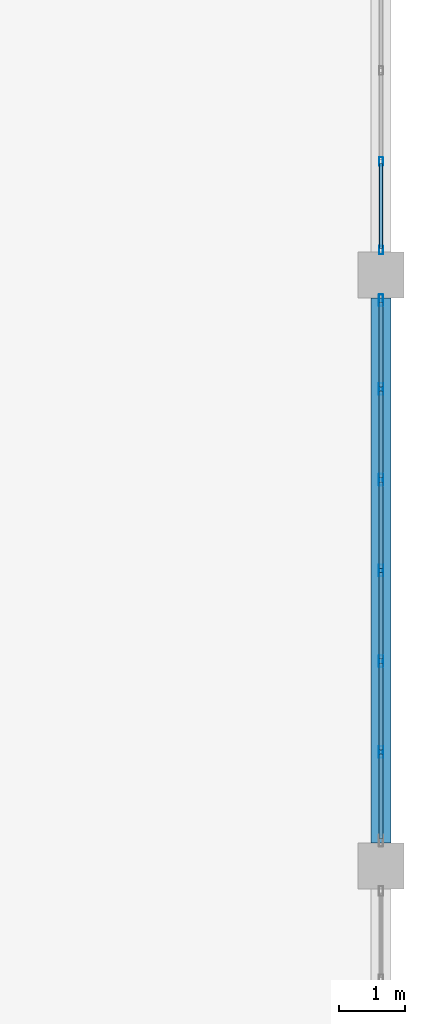
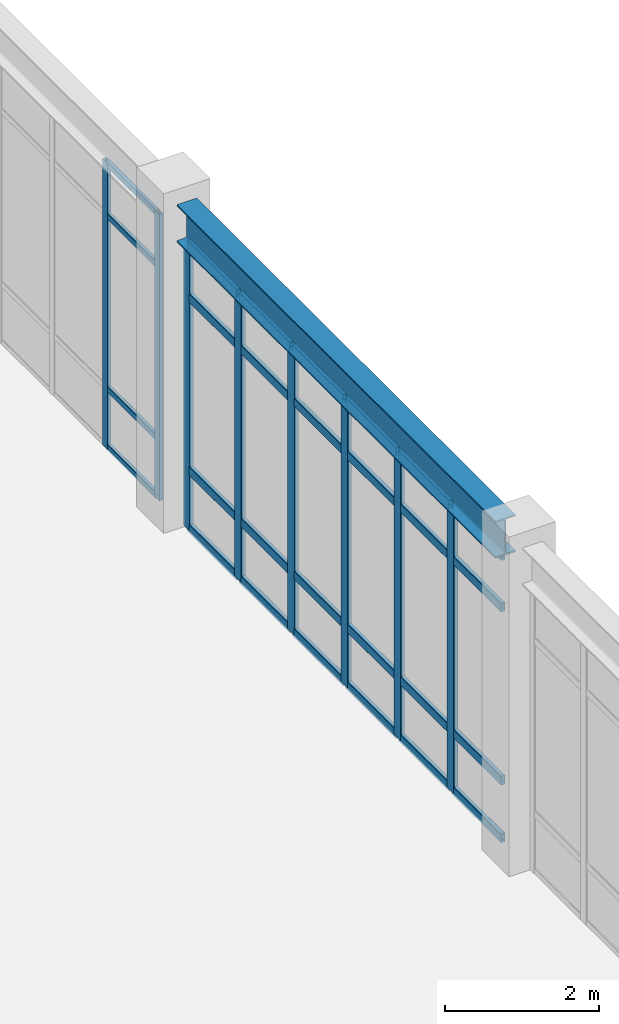
# One storey, part 47 of 80: 36 members, 1 beam, 2 elements without a shape of their own.
"""IFC4 building model written with IfcOpenShell, lengths in metres."""

from ifc_helpers import new_model, si_unit, direction, frame, origin, origin_2d, place, context, subcontext, project, spatial, hollow_rectangle, i_section, extrude, material, material_profile, profile_set, type_object, element, aggregate, save


model = new_model("IFC4")

# Units and contexts
model_context = context("Model", 3, precision=1e-05, world=origin(), true_north=direction((0.0, 1.0)))
body_context = subcontext(model_context, "Body", "Model", "MODEL_VIEW")
ifc_project = project(units=[si_unit("LENGTHUNIT", "METRE"), si_unit("AREAUNIT", "SQUARE_METRE"), si_unit("VOLUMEUNIT", "CUBIC_METRE"), si_unit("PLANEANGLEUNIT", "RADIAN"), si_unit("MASSUNIT", "GRAM", prefix="KILO")], contexts=[model_context])

# Site, building, storey
site_placement = place(None, origin())
site = spatial("IfcSite", under=ifc_project, at=site_placement, CompositionType="ELEMENT")
building_placement = place(site_placement, origin())
building = spatial("IfcBuilding", under=site, at=building_placement, Name="Canglan Escarpment Cableway Terminal", CompositionType="ELEMENT")
storey_placement = place(building_placement, frame((0.0, 0.0, 19.199951171875)))
storey = spatial("IfcBuildingStorey", under=building, at=storey_placement, Name="L04", CompositionType="ELEMENT", Elevation=19.199951171875)

# Beam
ifc_material_1 = material(Name="Steel Q355C", Category="steel")
ifc_material_profile_1 = material_profile(ifc_material_1, i_section(OverallWidth=0.302001953125, OverallDepth=0.593994140625, WebThickness=0.013916015625, FlangeThickness=0.02294921875, FilletRadius=0.028076171875, at=origin_2d()), Name="HM 594x302x14x23")
ifc_profile_set_1 = profile_set([ifc_material_profile_1], Name="Steel Q355C")
beam_type = type_object("IfcBeamType", Name="BM-HM594", PredefinedType="BEAM", material=ifc_profile_set_1)
beam_placement = place(storey_placement, frame((166.39990234375, 70.35009765625, 4.863037109375), z_axis=(0.0, 1.0, 0.0), x_axis=(-1.0, 0.0, 0.0)))
element("IfcBeam", 1, at=beam_placement, inside=storey, type_object=beam_type, Name="Primary transverse girder B-07", PredefinedType="BEAM", context=body_context, shape_type="SweptSolid", body=[
    extrude(i_section(OverallWidth=0.302001953125, OverallDepth=0.593994140625, WebThickness=0.013916015625, FlangeThickness=0.02294921875, FilletRadius=0.028076171875, at=origin_2d()), origin(), (0.0, 0.0, 1.0), 8.2998046875),
])

# Curtain wall, members
ifc_material_2 = material(Name="Anodized bronze aluminium and Low-E double glazing", Category="aluminium")
curtain_wall_type = type_object("IfcCurtainWallType", Name="CW-BAY-8300x4550", PredefinedType="NOTDEFINED", material=ifc_material_2)
curtain_wall_1_placement = place(storey_placement, origin())
curtain_wall_1 = element("IfcCurtainWall", 2, at=curtain_wall_1_placement, inside=storey, type_object=curtain_wall_type, Name="Classical bay-between-piers glazed curtain wall CW-64", PredefinedType="NOTDEFINED")
ifc_material_3 = material(Name="Thermally broken anodized aluminium 6063-T6", Category="aluminium")
ifc_material_profile_2 = material_profile(ifc_material_3, hollow_rectangle(XDim=0.06005859375, YDim=0.1298828125, WallThickness=0.0029296875, InnerFilletRadius=0.0029296875, OuterFilletRadius=0.006103515625, at=origin_2d()), Name="ALU-MULL 60x130x3")
ifc_profile_set_2 = profile_set([ifc_material_profile_2], Name="Thermally broken anodized aluminium 6063-T6")
member_type_1 = type_object("IfcMemberType", Name="CWM-01", PredefinedType="MULLION", material=ifc_profile_set_2)
member_1_placement = place(storey_placement, frame((166.39990234375, 79.3798828125, 0.0), z_axis=(0.0, 0.0, 1.0), x_axis=(-1.0, 0.0, 0.0)))
member_1 = element("IfcMember", 3, at=member_1_placement, type_object=member_type_1, Name="CW-64 mullion 1", PredefinedType="MULLION", context=body_context, shape_type="SweptSolid", body=[
    extrude(hollow_rectangle(XDim=0.06005859375, YDim=0.1298828125, WallThickness=0.0029296875, InnerFilletRadius=0.0029296875, OuterFilletRadius=0.006103515625, at=origin_2d()), origin(), (0.0, 0.0, 1.0), 4.551025390625),
])
member_2_placement = place(storey_placement, frame((166.39990234375, 80.7333984375, 0.0), z_axis=(0.0, 0.0, 1.0), x_axis=(-1.0, 0.0, 0.0)))
member_2 = element("IfcMember", 4, at=member_2_placement, type_object=member_type_1, Name="CW-64 mullion 2", PredefinedType="MULLION", context=body_context, shape_type="SweptSolid", body=[
    extrude(hollow_rectangle(XDim=0.06005859375, YDim=0.1298828125, WallThickness=0.0029296875, InnerFilletRadius=0.0029296875, OuterFilletRadius=0.006103515625, at=origin_2d()), origin(), (0.0, 0.0, 1.0), 4.551025390625),
])

curtain_wall_2_placement = place(storey_placement, origin())
curtain_wall_2 = element("IfcCurtainWall", 5, at=curtain_wall_2_placement, inside=storey, type_object=curtain_wall_type, Name="Classical bay-between-piers glazed curtain wall CW-64", PredefinedType="NOTDEFINED")
ifc_material_profile_3 = material_profile(ifc_material_3, hollow_rectangle(XDim=0.06494140625, YDim=0.179931640625, WallThickness=0.00390625, InnerFilletRadius=0.00390625, OuterFilletRadius=0.008056640625, at=origin_2d()), Name="ALU-MULL 65x180x4")
ifc_profile_set_3 = profile_set([ifc_material_profile_3], Name="Thermally broken anodized aluminium 6063-T6")
member_type_2 = type_object("IfcMemberType", Name="CWM-03", PredefinedType="MULLION", material=ifc_profile_set_3)
member_3_placement = place(storey_placement, frame((166.39990234375, 71.7333984375, 0.0), z_axis=(0.0, 0.0, 1.0), x_axis=(-1.0, 0.0, 0.0)))
member_3 = element("IfcMember", 6, at=member_3_placement, type_object=member_type_2, Name="CW-64 mullion 2", PredefinedType="MULLION", context=body_context, shape_type="SweptSolid", body=[
    extrude(hollow_rectangle(XDim=0.06494140625, YDim=0.179931640625, WallThickness=0.00390625, InnerFilletRadius=0.00390625, OuterFilletRadius=0.008056640625, at=origin_2d()), origin(), (0.0, 0.0, 1.0), 4.551025390625),
])
member_4_placement = place(storey_placement, frame((166.39990234375, 73.11669921875, 0.0), z_axis=(0.0, 0.0, 1.0), x_axis=(-1.0, 0.0, 0.0)))
member_4 = element("IfcMember", 7, at=member_4_placement, type_object=member_type_2, Name="CW-64 mullion 3", PredefinedType="MULLION", context=body_context, shape_type="SweptSolid", body=[
    extrude(hollow_rectangle(XDim=0.06494140625, YDim=0.179931640625, WallThickness=0.00390625, InnerFilletRadius=0.00390625, OuterFilletRadius=0.008056640625, at=origin_2d()), origin(), (0.0, 0.0, 1.0), 4.551025390625),
])
member_5_placement = place(storey_placement, frame((166.39990234375, 74.5, 0.0), z_axis=(0.0, 0.0, 1.0), x_axis=(-1.0, 0.0, 0.0)))
member_5 = element("IfcMember", 8, at=member_5_placement, type_object=member_type_2, Name="CW-64 mullion 4", PredefinedType="MULLION", context=body_context, shape_type="SweptSolid", body=[
    extrude(hollow_rectangle(XDim=0.06494140625, YDim=0.179931640625, WallThickness=0.00390625, InnerFilletRadius=0.00390625, OuterFilletRadius=0.008056640625, at=origin_2d()), origin(), (0.0, 0.0, 1.0), 4.551025390625),
])
member_6_placement = place(storey_placement, frame((166.39990234375, 75.88330078125, 0.0), z_axis=(0.0, 0.0, 1.0), x_axis=(-1.0, 0.0, 0.0)))
member_6 = element("IfcMember", 9, at=member_6_placement, type_object=member_type_2, Name="CW-64 mullion 5", PredefinedType="MULLION", context=body_context, shape_type="SweptSolid", body=[
    extrude(hollow_rectangle(XDim=0.06494140625, YDim=0.179931640625, WallThickness=0.00390625, InnerFilletRadius=0.00390625, OuterFilletRadius=0.008056640625, at=origin_2d()), origin(), (0.0, 0.0, 1.0), 4.551025390625),
])
member_7_placement = place(storey_placement, frame((166.39990234375, 77.2666015625, 0.0), z_axis=(0.0, 0.0, 1.0), x_axis=(-1.0, 0.0, 0.0)))
member_7 = element("IfcMember", 10, at=member_7_placement, type_object=member_type_2, Name="CW-64 mullion 6", PredefinedType="MULLION", context=body_context, shape_type="SweptSolid", body=[
    extrude(hollow_rectangle(XDim=0.06494140625, YDim=0.179931640625, WallThickness=0.00390625, InnerFilletRadius=0.00390625, OuterFilletRadius=0.008056640625, at=origin_2d()), origin(), (0.0, 0.0, 1.0), 4.551025390625),
])
member_8_placement = place(storey_placement, frame((166.39990234375, 78.617431640625, 0.0), z_axis=(0.0, 0.0, 1.0), x_axis=(-1.0, 0.0, 0.0)))
member_8 = element("IfcMember", 11, at=member_8_placement, type_object=member_type_2, Name="CW-64 mullion 7", PredefinedType="MULLION", context=body_context, shape_type="SweptSolid", body=[
    extrude(hollow_rectangle(XDim=0.06494140625, YDim=0.179931640625, WallThickness=0.00390625, InnerFilletRadius=0.00390625, OuterFilletRadius=0.008056640625, at=origin_2d()), origin(), (0.0, 0.0, 1.0), 4.551025390625),
])

# Member
ifc_material_profile_4 = material_profile(ifc_material_3, hollow_rectangle(XDim=0.054931640625, YDim=0.094970703125, WallThickness=0.0029296875, InnerFilletRadius=0.0029296875, OuterFilletRadius=0.006103515625, at=origin_2d()), Name="ALU-TRAN 55x95x3")
ifc_profile_set_4 = profile_set([ifc_material_profile_4], Name="Thermally broken anodized aluminium 6063-T6")
member_type_3 = type_object("IfcMemberType", Name="CWT-01", PredefinedType="USERDEFINED", material=ifc_profile_set_4)
member_9_placement = place(storey_placement, frame((166.39990234375, 79.409912109375, 0.027587890625), z_axis=(0.0, 1.0, 0.0), x_axis=(-1.0, 0.0, 0.0)))
member_9 = element("IfcMember", 12, at=member_9_placement, type_object=member_type_3, Name="CW-64 transom 1.1", ObjectType="TRANSOM", PredefinedType="USERDEFINED", context=body_context, shape_type="SweptSolid", body=[
    extrude(hollow_rectangle(XDim=0.054931640625, YDim=0.094970703125, WallThickness=0.0029296875, InnerFilletRadius=0.0029296875, OuterFilletRadius=0.006103515625, at=origin_2d()), origin(), (0.0, 0.0, 1.0), 1.29345703125),
])

member_10_placement = place(storey_placement, frame((166.39990234375, 79.409912109375, 0.949951171875), z_axis=(0.0, 1.0, 0.0), x_axis=(-1.0, 0.0, 0.0)))
member_10 = element("IfcMember", 13, at=member_10_placement, type_object=member_type_3, Name="CW-64 transom 1.2", ObjectType="TRANSOM", PredefinedType="USERDEFINED", context=body_context, shape_type="SweptSolid", body=[
    extrude(hollow_rectangle(XDim=0.054931640625, YDim=0.094970703125, WallThickness=0.0029296875, InnerFilletRadius=0.0029296875, OuterFilletRadius=0.006103515625, at=origin_2d()), origin(), (0.0, 0.0, 1.0), 1.29345703125),
])

member_11_placement = place(storey_placement, frame((166.39990234375, 79.409912109375, 3.700927734375), z_axis=(0.0, 1.0, 0.0), x_axis=(-1.0, 0.0, 0.0)))
member_11 = element("IfcMember", 14, at=member_11_placement, type_object=member_type_3, Name="CW-64 transom 1.3", ObjectType="TRANSOM", PredefinedType="USERDEFINED", context=body_context, shape_type="SweptSolid", body=[
    extrude(hollow_rectangle(XDim=0.054931640625, YDim=0.094970703125, WallThickness=0.0029296875, InnerFilletRadius=0.0029296875, OuterFilletRadius=0.006103515625, at=origin_2d()), origin(), (0.0, 0.0, 1.0), 1.29345703125),
])

member_12_placement = place(storey_placement, frame((166.39990234375, 79.409912109375, 4.5234375), z_axis=(0.0, 1.0, 0.0), x_axis=(-1.0, 0.0, 0.0)))
member_12 = element("IfcMember", 15, at=member_12_placement, type_object=member_type_3, Name="CW-64 transom 1.4", ObjectType="TRANSOM", PredefinedType="USERDEFINED", context=body_context, shape_type="SweptSolid", body=[
    extrude(hollow_rectangle(XDim=0.054931640625, YDim=0.094970703125, WallThickness=0.0029296875, InnerFilletRadius=0.0029296875, OuterFilletRadius=0.006103515625, at=origin_2d()), origin(), (0.0, 0.0, 1.0), 1.29345703125),
])

aggregate(curtain_wall_1, [member_1, member_2, member_9, member_10, member_11, member_12])

ifc_material_profile_5 = material_profile(ifc_material_3, hollow_rectangle(XDim=0.06494140625, YDim=0.139892578125, WallThickness=0.00341796875, InnerFilletRadius=0.00341796875, OuterFilletRadius=0.007080078125, at=origin_2d()), Name="ALU-TRAN 65x140x3.5")
ifc_profile_set_5 = profile_set([ifc_material_profile_5], Name="Thermally broken anodized aluminium 6063-T6")
member_type_4 = type_object("IfcMemberType", Name="CWT-03", PredefinedType="USERDEFINED", material=ifc_profile_set_5)
member_13_placement = place(storey_placement, frame((166.39990234375, 70.4150390625, 0.032470703125), z_axis=(0.0, 1.0, 0.0), x_axis=(-1.0, 0.0, 0.0)))
member_13 = element("IfcMember", 16, at=member_13_placement, type_object=member_type_4, Name="CW-64 transom 1.1", ObjectType="TRANSOM", PredefinedType="USERDEFINED", context=body_context, shape_type="SweptSolid", body=[
    extrude(hollow_rectangle(XDim=0.06494140625, YDim=0.139892578125, WallThickness=0.00341796875, InnerFilletRadius=0.00341796875, OuterFilletRadius=0.007080078125, at=origin_2d()), origin(), (0.0, 0.0, 1.0), 1.285888671875),
])

member_14_placement = place(storey_placement, frame((166.39990234375, 70.4150390625, 0.949951171875), z_axis=(0.0, 1.0, 0.0), x_axis=(-1.0, 0.0, 0.0)))
member_14 = element("IfcMember", 17, at=member_14_placement, type_object=member_type_4, Name="CW-64 transom 1.2", ObjectType="TRANSOM", PredefinedType="USERDEFINED", context=body_context, shape_type="SweptSolid", body=[
    extrude(hollow_rectangle(XDim=0.06494140625, YDim=0.139892578125, WallThickness=0.00341796875, InnerFilletRadius=0.00341796875, OuterFilletRadius=0.007080078125, at=origin_2d()), origin(), (0.0, 0.0, 1.0), 1.285888671875),
])

member_15_placement = place(storey_placement, frame((166.39990234375, 70.4150390625, 3.700927734375), z_axis=(0.0, 1.0, 0.0), x_axis=(-1.0, 0.0, 0.0)))
member_15 = element("IfcMember", 18, at=member_15_placement, type_object=member_type_4, Name="CW-64 transom 1.3", ObjectType="TRANSOM", PredefinedType="USERDEFINED", context=body_context, shape_type="SweptSolid", body=[
    extrude(hollow_rectangle(XDim=0.06494140625, YDim=0.139892578125, WallThickness=0.00341796875, InnerFilletRadius=0.00341796875, OuterFilletRadius=0.007080078125, at=origin_2d()), origin(), (0.0, 0.0, 1.0), 1.285888671875),
])

member_16_placement = place(storey_placement, frame((166.39990234375, 70.4150390625, 4.5185546875), z_axis=(0.0, 1.0, 0.0), x_axis=(-1.0, 0.0, 0.0)))
member_16 = element("IfcMember", 19, at=member_16_placement, type_object=member_type_4, Name="CW-64 transom 1.4", ObjectType="TRANSOM", PredefinedType="USERDEFINED", context=body_context, shape_type="SweptSolid", body=[
    extrude(hollow_rectangle(XDim=0.06494140625, YDim=0.139892578125, WallThickness=0.00341796875, InnerFilletRadius=0.00341796875, OuterFilletRadius=0.007080078125, at=origin_2d()), origin(), (0.0, 0.0, 1.0), 1.285888671875),
])

member_17_placement = place(storey_placement, frame((166.39990234375, 71.765869140625, 0.032470703125), z_axis=(0.0, 1.0, 0.0), x_axis=(-1.0, 0.0, 0.0)))
member_17 = element("IfcMember", 20, at=member_17_placement, type_object=member_type_4, Name="CW-64 transom 2.1", ObjectType="TRANSOM", PredefinedType="USERDEFINED", context=body_context, shape_type="SweptSolid", body=[
    extrude(hollow_rectangle(XDim=0.06494140625, YDim=0.139892578125, WallThickness=0.00341796875, InnerFilletRadius=0.00341796875, OuterFilletRadius=0.007080078125, at=origin_2d()), origin(), (0.0, 0.0, 1.0), 1.318359375),
])

member_18_placement = place(storey_placement, frame((166.39990234375, 71.765869140625, 0.949951171875), z_axis=(0.0, 1.0, 0.0), x_axis=(-1.0, 0.0, 0.0)))
member_18 = element("IfcMember", 21, at=member_18_placement, type_object=member_type_4, Name="CW-64 transom 2.2", ObjectType="TRANSOM", PredefinedType="USERDEFINED", context=body_context, shape_type="SweptSolid", body=[
    extrude(hollow_rectangle(XDim=0.06494140625, YDim=0.139892578125, WallThickness=0.00341796875, InnerFilletRadius=0.00341796875, OuterFilletRadius=0.007080078125, at=origin_2d()), origin(), (0.0, 0.0, 1.0), 1.318359375),
])

member_19_placement = place(storey_placement, frame((166.39990234375, 71.765869140625, 3.700927734375), z_axis=(0.0, 1.0, 0.0), x_axis=(-1.0, 0.0, 0.0)))
member_19 = element("IfcMember", 22, at=member_19_placement, type_object=member_type_4, Name="CW-64 transom 2.3", ObjectType="TRANSOM", PredefinedType="USERDEFINED", context=body_context, shape_type="SweptSolid", body=[
    extrude(hollow_rectangle(XDim=0.06494140625, YDim=0.139892578125, WallThickness=0.00341796875, InnerFilletRadius=0.00341796875, OuterFilletRadius=0.007080078125, at=origin_2d()), origin(), (0.0, 0.0, 1.0), 1.318359375),
])

member_20_placement = place(storey_placement, frame((166.39990234375, 71.765869140625, 4.5185546875), z_axis=(0.0, 1.0, 0.0), x_axis=(-1.0, 0.0, 0.0)))
member_20 = element("IfcMember", 23, at=member_20_placement, type_object=member_type_4, Name="CW-64 transom 2.4", ObjectType="TRANSOM", PredefinedType="USERDEFINED", context=body_context, shape_type="SweptSolid", body=[
    extrude(hollow_rectangle(XDim=0.06494140625, YDim=0.139892578125, WallThickness=0.00341796875, InnerFilletRadius=0.00341796875, OuterFilletRadius=0.007080078125, at=origin_2d()), origin(), (0.0, 0.0, 1.0), 1.318359375),
])

member_21_placement = place(storey_placement, frame((166.39990234375, 73.149169921875, 0.032470703125), z_axis=(0.0, 1.0, 0.0), x_axis=(-1.0, 0.0, 0.0)))
member_21 = element("IfcMember", 24, at=member_21_placement, type_object=member_type_4, Name="CW-64 transom 3.1", ObjectType="TRANSOM", PredefinedType="USERDEFINED", context=body_context, shape_type="SweptSolid", body=[
    extrude(hollow_rectangle(XDim=0.06494140625, YDim=0.139892578125, WallThickness=0.00341796875, InnerFilletRadius=0.00341796875, OuterFilletRadius=0.007080078125, at=origin_2d()), origin(), (0.0, 0.0, 1.0), 1.318359375),
])

member_22_placement = place(storey_placement, frame((166.39990234375, 73.149169921875, 0.949951171875), z_axis=(0.0, 1.0, 0.0), x_axis=(-1.0, 0.0, 0.0)))
member_22 = element("IfcMember", 25, at=member_22_placement, type_object=member_type_4, Name="CW-64 transom 3.2", ObjectType="TRANSOM", PredefinedType="USERDEFINED", context=body_context, shape_type="SweptSolid", body=[
    extrude(hollow_rectangle(XDim=0.06494140625, YDim=0.139892578125, WallThickness=0.00341796875, InnerFilletRadius=0.00341796875, OuterFilletRadius=0.007080078125, at=origin_2d()), origin(), (0.0, 0.0, 1.0), 1.318359375),
])

member_23_placement = place(storey_placement, frame((166.39990234375, 73.149169921875, 3.700927734375), z_axis=(0.0, 1.0, 0.0), x_axis=(-1.0, 0.0, 0.0)))
member_23 = element("IfcMember", 26, at=member_23_placement, type_object=member_type_4, Name="CW-64 transom 3.3", ObjectType="TRANSOM", PredefinedType="USERDEFINED", context=body_context, shape_type="SweptSolid", body=[
    extrude(hollow_rectangle(XDim=0.06494140625, YDim=0.139892578125, WallThickness=0.00341796875, InnerFilletRadius=0.00341796875, OuterFilletRadius=0.007080078125, at=origin_2d()), origin(), (0.0, 0.0, 1.0), 1.318359375),
])

member_24_placement = place(storey_placement, frame((166.39990234375, 73.149169921875, 4.5185546875), z_axis=(0.0, 1.0, 0.0), x_axis=(-1.0, 0.0, 0.0)))
member_24 = element("IfcMember", 27, at=member_24_placement, type_object=member_type_4, Name="CW-64 transom 3.4", ObjectType="TRANSOM", PredefinedType="USERDEFINED", context=body_context, shape_type="SweptSolid", body=[
    extrude(hollow_rectangle(XDim=0.06494140625, YDim=0.139892578125, WallThickness=0.00341796875, InnerFilletRadius=0.00341796875, OuterFilletRadius=0.007080078125, at=origin_2d()), origin(), (0.0, 0.0, 1.0), 1.318359375),
])

member_25_placement = place(storey_placement, frame((166.39990234375, 74.532470703125, 0.032470703125), z_axis=(0.0, 1.0, 0.0), x_axis=(-1.0, 0.0, 0.0)))
member_25 = element("IfcMember", 28, at=member_25_placement, type_object=member_type_4, Name="CW-64 transom 4.1", ObjectType="TRANSOM", PredefinedType="USERDEFINED", context=body_context, shape_type="SweptSolid", body=[
    extrude(hollow_rectangle(XDim=0.06494140625, YDim=0.139892578125, WallThickness=0.00341796875, InnerFilletRadius=0.00341796875, OuterFilletRadius=0.007080078125, at=origin_2d()), origin(), (0.0, 0.0, 1.0), 1.318359375),
])

member_26_placement = place(storey_placement, frame((166.39990234375, 74.532470703125, 0.949951171875), z_axis=(0.0, 1.0, 0.0), x_axis=(-1.0, 0.0, 0.0)))
member_26 = element("IfcMember", 29, at=member_26_placement, type_object=member_type_4, Name="CW-64 transom 4.2", ObjectType="TRANSOM", PredefinedType="USERDEFINED", context=body_context, shape_type="SweptSolid", body=[
    extrude(hollow_rectangle(XDim=0.06494140625, YDim=0.139892578125, WallThickness=0.00341796875, InnerFilletRadius=0.00341796875, OuterFilletRadius=0.007080078125, at=origin_2d()), origin(), (0.0, 0.0, 1.0), 1.318359375),
])

member_27_placement = place(storey_placement, frame((166.39990234375, 74.532470703125, 3.700927734375), z_axis=(0.0, 1.0, 0.0), x_axis=(-1.0, 0.0, 0.0)))
member_27 = element("IfcMember", 30, at=member_27_placement, type_object=member_type_4, Name="CW-64 transom 4.3", ObjectType="TRANSOM", PredefinedType="USERDEFINED", context=body_context, shape_type="SweptSolid", body=[
    extrude(hollow_rectangle(XDim=0.06494140625, YDim=0.139892578125, WallThickness=0.00341796875, InnerFilletRadius=0.00341796875, OuterFilletRadius=0.007080078125, at=origin_2d()), origin(), (0.0, 0.0, 1.0), 1.318359375),
])

member_28_placement = place(storey_placement, frame((166.39990234375, 74.532470703125, 4.5185546875), z_axis=(0.0, 1.0, 0.0), x_axis=(-1.0, 0.0, 0.0)))
member_28 = element("IfcMember", 31, at=member_28_placement, type_object=member_type_4, Name="CW-64 transom 4.4", ObjectType="TRANSOM", PredefinedType="USERDEFINED", context=body_context, shape_type="SweptSolid", body=[
    extrude(hollow_rectangle(XDim=0.06494140625, YDim=0.139892578125, WallThickness=0.00341796875, InnerFilletRadius=0.00341796875, OuterFilletRadius=0.007080078125, at=origin_2d()), origin(), (0.0, 0.0, 1.0), 1.318359375),
])

member_29_placement = place(storey_placement, frame((166.39990234375, 75.915771484375, 0.032470703125), z_axis=(0.0, 1.0, 0.0), x_axis=(-1.0, 0.0, 0.0)))
member_29 = element("IfcMember", 32, at=member_29_placement, type_object=member_type_4, Name="CW-64 transom 5.1", ObjectType="TRANSOM", PredefinedType="USERDEFINED", context=body_context, shape_type="SweptSolid", body=[
    extrude(hollow_rectangle(XDim=0.06494140625, YDim=0.139892578125, WallThickness=0.00341796875, InnerFilletRadius=0.00341796875, OuterFilletRadius=0.007080078125, at=origin_2d()), origin(), (0.0, 0.0, 1.0), 1.318359375),
])

member_30_placement = place(storey_placement, frame((166.39990234375, 75.915771484375, 0.949951171875), z_axis=(0.0, 1.0, 0.0), x_axis=(-1.0, 0.0, 0.0)))
member_30 = element("IfcMember", 33, at=member_30_placement, type_object=member_type_4, Name="CW-64 transom 5.2", ObjectType="TRANSOM", PredefinedType="USERDEFINED", context=body_context, shape_type="SweptSolid", body=[
    extrude(hollow_rectangle(XDim=0.06494140625, YDim=0.139892578125, WallThickness=0.00341796875, InnerFilletRadius=0.00341796875, OuterFilletRadius=0.007080078125, at=origin_2d()), origin(), (0.0, 0.0, 1.0), 1.318359375),
])

member_31_placement = place(storey_placement, frame((166.39990234375, 75.915771484375, 3.700927734375), z_axis=(0.0, 1.0, 0.0), x_axis=(-1.0, 0.0, 0.0)))
member_31 = element("IfcMember", 34, at=member_31_placement, type_object=member_type_4, Name="CW-64 transom 5.3", ObjectType="TRANSOM", PredefinedType="USERDEFINED", context=body_context, shape_type="SweptSolid", body=[
    extrude(hollow_rectangle(XDim=0.06494140625, YDim=0.139892578125, WallThickness=0.00341796875, InnerFilletRadius=0.00341796875, OuterFilletRadius=0.007080078125, at=origin_2d()), origin(), (0.0, 0.0, 1.0), 1.318359375),
])

member_32_placement = place(storey_placement, frame((166.39990234375, 75.915771484375, 4.5185546875), z_axis=(0.0, 1.0, 0.0), x_axis=(-1.0, 0.0, 0.0)))
member_32 = element("IfcMember", 35, at=member_32_placement, type_object=member_type_4, Name="CW-64 transom 5.4", ObjectType="TRANSOM", PredefinedType="USERDEFINED", context=body_context, shape_type="SweptSolid", body=[
    extrude(hollow_rectangle(XDim=0.06494140625, YDim=0.139892578125, WallThickness=0.00341796875, InnerFilletRadius=0.00341796875, OuterFilletRadius=0.007080078125, at=origin_2d()), origin(), (0.0, 0.0, 1.0), 1.318359375),
])

member_33_placement = place(storey_placement, frame((166.39990234375, 77.299072265625, 0.032470703125), z_axis=(0.0, 1.0, 0.0), x_axis=(-1.0, 0.0, 0.0)))
member_33 = element("IfcMember", 36, at=member_33_placement, type_object=member_type_4, Name="CW-64 transom 6.1", ObjectType="TRANSOM", PredefinedType="USERDEFINED", context=body_context, shape_type="SweptSolid", body=[
    extrude(hollow_rectangle(XDim=0.06494140625, YDim=0.139892578125, WallThickness=0.00341796875, InnerFilletRadius=0.00341796875, OuterFilletRadius=0.007080078125, at=origin_2d()), origin(), (0.0, 0.0, 1.0), 1.285888671875),
])

member_34_placement = place(storey_placement, frame((166.39990234375, 77.299072265625, 0.949951171875), z_axis=(0.0, 1.0, 0.0), x_axis=(-1.0, 0.0, 0.0)))
member_34 = element("IfcMember", 37, at=member_34_placement, type_object=member_type_4, Name="CW-64 transom 6.2", ObjectType="TRANSOM", PredefinedType="USERDEFINED", context=body_context, shape_type="SweptSolid", body=[
    extrude(hollow_rectangle(XDim=0.06494140625, YDim=0.139892578125, WallThickness=0.00341796875, InnerFilletRadius=0.00341796875, OuterFilletRadius=0.007080078125, at=origin_2d()), origin(), (0.0, 0.0, 1.0), 1.285888671875),
])

member_35_placement = place(storey_placement, frame((166.39990234375, 77.299072265625, 3.700927734375), z_axis=(0.0, 1.0, 0.0), x_axis=(-1.0, 0.0, 0.0)))
member_35 = element("IfcMember", 38, at=member_35_placement, type_object=member_type_4, Name="CW-64 transom 6.3", ObjectType="TRANSOM", PredefinedType="USERDEFINED", context=body_context, shape_type="SweptSolid", body=[
    extrude(hollow_rectangle(XDim=0.06494140625, YDim=0.139892578125, WallThickness=0.00341796875, InnerFilletRadius=0.00341796875, OuterFilletRadius=0.007080078125, at=origin_2d()), origin(), (0.0, 0.0, 1.0), 1.285888671875),
])

member_36_placement = place(storey_placement, frame((166.39990234375, 77.299072265625, 4.5185546875), z_axis=(0.0, 1.0, 0.0), x_axis=(-1.0, 0.0, 0.0)))
member_36 = element("IfcMember", 39, at=member_36_placement, type_object=member_type_4, Name="CW-64 transom 6.4", ObjectType="TRANSOM", PredefinedType="USERDEFINED", context=body_context, shape_type="SweptSolid", body=[
    extrude(hollow_rectangle(XDim=0.06494140625, YDim=0.139892578125, WallThickness=0.00341796875, InnerFilletRadius=0.00341796875, OuterFilletRadius=0.007080078125, at=origin_2d()), origin(), (0.0, 0.0, 1.0), 1.285888671875),
])

aggregate(curtain_wall_2, [member_3, member_4, member_5, member_6, member_7, member_8, member_13, member_14, member_15, member_16, member_17, member_18, member_19, member_20, member_21, member_22, member_23, member_24, member_25, member_26, member_27, member_28, member_29, member_30, member_31, member_32, member_33, member_34, member_35, member_36])

save(model, "model.ifc")
